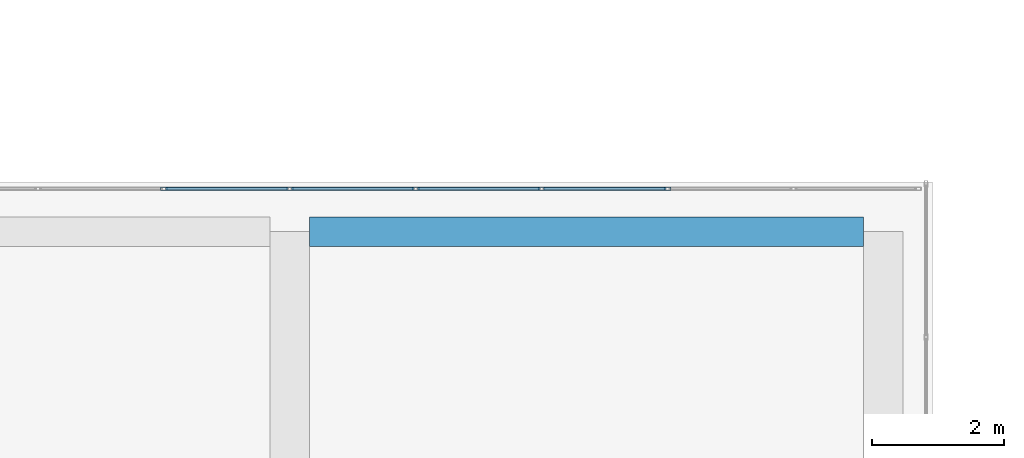
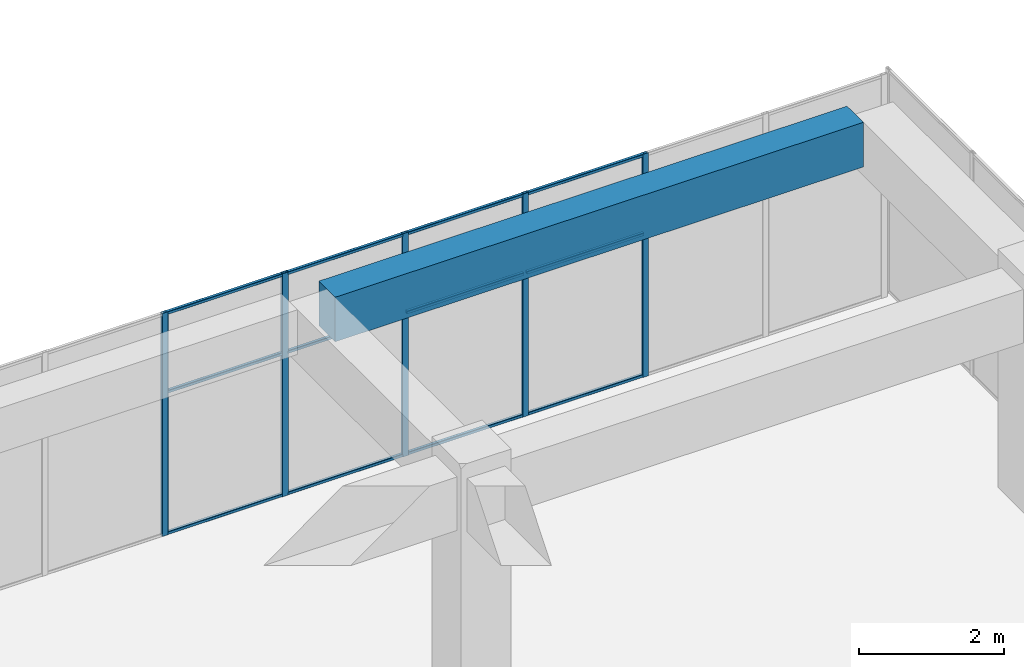
# One storey, part 33 of 65: 17 members, 1 beam, 1 element without a shape of its own.
"""IFC4 building model written with IfcOpenShell, lengths in metres."""

from ifc_helpers import new_model, si_unit, direction, frame, origin, origin_2d, place, context, subcontext, project, spatial, rectangle, hollow_rectangle, extrude, material, layer, layer_set, material_profile, profile_set, type_object, element, aggregate, save


model = new_model("IFC4")

# Units and contexts
model_context = context("Model", 3, precision=1e-05, world=origin(), true_north=direction((0.0, 1.0)))
body_context = subcontext(model_context, "Body", "Model", "MODEL_VIEW")
ifc_project = project(units=[si_unit("LENGTHUNIT", "METRE"), si_unit("AREAUNIT", "SQUARE_METRE"), si_unit("VOLUMEUNIT", "CUBIC_METRE"), si_unit("PLANEANGLEUNIT", "RADIAN"), si_unit("MASSUNIT", "GRAM", prefix="KILO")], contexts=[model_context])

# Site, building, storey
site_placement = place(None, origin())
site = spatial("IfcSite", under=ifc_project, at=site_placement, CompositionType="ELEMENT")
building_placement = place(site_placement, origin())
building = spatial("IfcBuilding", under=site, at=building_placement, Name="Tuart Plaza Theatre", CompositionType="ELEMENT")
storey_placement = place(building_placement, frame((0.0, 0.0, 9.5)))
storey = spatial("IfcBuildingStorey", under=building, at=storey_placement, Name="L02", CompositionType="ELEMENT", Elevation=9.5)

# Beam
ifc_material_1 = material(Name="Concrete N40 (40 MPa)", Category="concrete")
ifc_material_profile_1 = material_profile(ifc_material_1, rectangle(XDim=0.449951171875, YDim=0.75, at=origin_2d()), Name="BEAM 450x750 Concrete N40 (40 MPa)")
ifc_profile_set_1 = profile_set([ifc_material_profile_1], Name="Concrete N40 (40 MPa)")
beam_type = type_object("IfcBeamType", Name="BEAM 450x750 Concrete N40 (40 MPa)", PredefinedType="BEAM", material=ifc_profile_set_1)
beam_placement = place(storey_placement, frame((123.300048828125, 96.5, 3.375), z_axis=(1.0, 0.0, 0.0), x_axis=(0.0, 1.0, 0.0)))
element("IfcBeam", 1, at=beam_placement, inside=storey, type_object=beam_type, Name="RB180", PredefinedType="BEAM", context=body_context, shape_type="SweptSolid", body=[
    extrude(rectangle(XDim=0.449951171875, YDim=0.75, at=origin_2d()), origin(), (0.0, 0.0, 1.0), 8.39990234375),
])

# Curtain wall, members
ifc_material_2 = material(Name="Aluminium and glass", Category="aluminium")
ifc_layer = layer(ifc_material_2, 0.10009765625)
ifc_layer_set = layer_set([ifc_layer], Name="CURTAIN WALL 2000 module")
curtain_wall_type = type_object("IfcCurtainWallType", Name="CURTAIN WALL 2000 module", PredefinedType="NOTDEFINED", material=ifc_layer_set)
curtain_wall_placement = place(storey_placement, origin())
curtain_wall = element("IfcCurtainWall", 2, at=curtain_wall_placement, inside=storey, type_object=curtain_wall_type, Name="CW72", PredefinedType="NOTDEFINED")
ifc_material_3 = material(Name="Aluminium 6063-T5", Category="aluminium")
ifc_material_profile_2 = material_profile(ifc_material_3, hollow_rectangle(XDim=0.050048828125, YDim=0.10009765625, WallThickness=0.00390625, InnerFilletRadius=0.00390625, OuterFilletRadius=0.008056640625, at=origin_2d()), Name="RHS 100x50x4")
ifc_profile_set_2 = profile_set([ifc_material_profile_2], Name="Aluminium 6063-T5")
member_type_1 = type_object("IfcMemberType", Name="MULLION RHS 100x50x4", PredefinedType="MULLION", material=ifc_profile_set_2)
member_1_placement = place(storey_placement, frame((128.72998046875, 97.14990234375, 0.0), z_axis=(0.0, 0.0, 1.0), x_axis=(0.0, -1.0, 0.0)))
member_1 = element("IfcMember", 3, at=member_1_placement, type_object=member_type_1, Name="CW72 mullion 3", PredefinedType="MULLION", context=body_context, shape_type="SweptSolid", body=[
    extrude(hollow_rectangle(XDim=0.050048828125, YDim=0.10009765625, WallThickness=0.00390625, InnerFilletRadius=0.00390625, OuterFilletRadius=0.008056640625, at=origin_2d()), origin(), (0.0, 0.0, 1.0), 3.75),
])
member_2_placement = place(storey_placement, frame((126.820068359375, 97.14990234375, 0.0), z_axis=(0.0, 0.0, 1.0), x_axis=(0.0, -1.0, 0.0)))
member_2 = element("IfcMember", 4, at=member_2_placement, type_object=member_type_1, Name="CW72 mullion 4", PredefinedType="MULLION", context=body_context, shape_type="SweptSolid", body=[
    extrude(hollow_rectangle(XDim=0.050048828125, YDim=0.10009765625, WallThickness=0.00390625, InnerFilletRadius=0.00390625, OuterFilletRadius=0.008056640625, at=origin_2d()), origin(), (0.0, 0.0, 1.0), 3.75),
])
member_3_placement = place(storey_placement, frame((124.909912109375, 97.14990234375, 0.0), z_axis=(0.0, 0.0, 1.0), x_axis=(0.0, -1.0, 0.0)))
member_3 = element("IfcMember", 5, at=member_3_placement, type_object=member_type_1, Name="CW72 mullion 5", PredefinedType="MULLION", context=body_context, shape_type="SweptSolid", body=[
    extrude(hollow_rectangle(XDim=0.050048828125, YDim=0.10009765625, WallThickness=0.00390625, InnerFilletRadius=0.00390625, OuterFilletRadius=0.008056640625, at=origin_2d()), origin(), (0.0, 0.0, 1.0), 3.75),
])
member_4_placement = place(storey_placement, frame((123.0, 97.14990234375, 0.0), z_axis=(0.0, 0.0, 1.0), x_axis=(0.0, -1.0, 0.0)))
member_4 = element("IfcMember", 6, at=member_4_placement, type_object=member_type_1, Name="CW72 mullion 6", PredefinedType="MULLION", context=body_context, shape_type="SweptSolid", body=[
    extrude(hollow_rectangle(XDim=0.050048828125, YDim=0.10009765625, WallThickness=0.00390625, InnerFilletRadius=0.00390625, OuterFilletRadius=0.008056640625, at=origin_2d()), origin(), (0.0, 0.0, 1.0), 3.75),
])
member_5_placement = place(storey_placement, frame((121.090087890625, 97.14990234375, 0.0), z_axis=(0.0, 0.0, 1.0), x_axis=(0.0, -1.0, 0.0)))
member_5 = element("IfcMember", 7, at=member_5_placement, type_object=member_type_1, Name="CW72 mullion 7", PredefinedType="MULLION", context=body_context, shape_type="SweptSolid", body=[
    extrude(hollow_rectangle(XDim=0.050048828125, YDim=0.10009765625, WallThickness=0.00390625, InnerFilletRadius=0.00390625, OuterFilletRadius=0.008056640625, at=origin_2d()), origin(), (0.0, 0.0, 1.0), 3.75),
])
ifc_material_4 = material(Name="Aluminium 6063-T5", Category="aluminium")
ifc_material_profile_3 = material_profile(ifc_material_4, hollow_rectangle(XDim=0.050048828125, YDim=0.050048828125, WallThickness=0.00390625, InnerFilletRadius=0.00390625, OuterFilletRadius=0.008056640625, at=origin_2d()), Name="RHS 50x50x4")
ifc_profile_set_3 = profile_set([ifc_material_profile_3], Name="Aluminium 6063-T5")
member_type_2 = type_object("IfcMemberType", Name="TRANSOM RHS 50x50x4", PredefinedType="USERDEFINED", material=ifc_profile_set_3)
member_6_placement = place(storey_placement, frame((128.705078125, 97.14990234375, 0.02490234375), z_axis=(-1.0, 0.0, 0.0), x_axis=(0.0, -1.0, 0.0)))
member_6 = element("IfcMember", 8, at=member_6_placement, type_object=member_type_2, Name="CW72 transom 3.1", ObjectType="TRANSOM", PredefinedType="USERDEFINED", context=body_context, shape_type="SweptSolid", body=[
    extrude(hollow_rectangle(XDim=0.050048828125, YDim=0.050048828125, WallThickness=0.00390625, InnerFilletRadius=0.00390625, OuterFilletRadius=0.008056640625, at=origin_2d()), origin(), (0.0, 0.0, 1.0), 1.860107421875),
])
member_7_placement = place(storey_placement, frame((128.705078125, 97.14990234375, 2.39990234375), z_axis=(-1.0, 0.0, 0.0), x_axis=(0.0, -1.0, 0.0)))
member_7 = element("IfcMember", 9, at=member_7_placement, type_object=member_type_2, Name="CW72 transom 3.2", ObjectType="TRANSOM", PredefinedType="USERDEFINED", context=body_context, shape_type="SweptSolid", body=[
    extrude(hollow_rectangle(XDim=0.050048828125, YDim=0.050048828125, WallThickness=0.00390625, InnerFilletRadius=0.00390625, OuterFilletRadius=0.008056640625, at=origin_2d()), origin(), (0.0, 0.0, 1.0), 1.860107421875),
])
member_8_placement = place(storey_placement, frame((128.705078125, 97.14990234375, 3.72509765625), z_axis=(-1.0, 0.0, 0.0), x_axis=(0.0, -1.0, 0.0)))
member_8 = element("IfcMember", 10, at=member_8_placement, type_object=member_type_2, Name="CW72 transom 3.3", ObjectType="TRANSOM", PredefinedType="USERDEFINED", context=body_context, shape_type="SweptSolid", body=[
    extrude(hollow_rectangle(XDim=0.050048828125, YDim=0.050048828125, WallThickness=0.00390625, InnerFilletRadius=0.00390625, OuterFilletRadius=0.008056640625, at=origin_2d()), origin(), (0.0, 0.0, 1.0), 1.860107421875),
])
member_9_placement = place(storey_placement, frame((126.794921875, 97.14990234375, 0.02490234375), z_axis=(-1.0, 0.0, 0.0), x_axis=(0.0, -1.0, 0.0)))
member_9 = element("IfcMember", 11, at=member_9_placement, type_object=member_type_2, Name="CW72 transom 4.1", ObjectType="TRANSOM", PredefinedType="USERDEFINED", context=body_context, shape_type="SweptSolid", body=[
    extrude(hollow_rectangle(XDim=0.050048828125, YDim=0.050048828125, WallThickness=0.00390625, InnerFilletRadius=0.00390625, OuterFilletRadius=0.008056640625, at=origin_2d()), origin(), (0.0, 0.0, 1.0), 1.85986328125),
])
member_10_placement = place(storey_placement, frame((126.794921875, 97.14990234375, 2.39990234375), z_axis=(-1.0, 0.0, 0.0), x_axis=(0.0, -1.0, 0.0)))
member_10 = element("IfcMember", 12, at=member_10_placement, type_object=member_type_2, Name="CW72 transom 4.2", ObjectType="TRANSOM", PredefinedType="USERDEFINED", context=body_context, shape_type="SweptSolid", body=[
    extrude(hollow_rectangle(XDim=0.050048828125, YDim=0.050048828125, WallThickness=0.00390625, InnerFilletRadius=0.00390625, OuterFilletRadius=0.008056640625, at=origin_2d()), origin(), (0.0, 0.0, 1.0), 1.85986328125),
])
member_11_placement = place(storey_placement, frame((126.794921875, 97.14990234375, 3.72509765625), z_axis=(-1.0, 0.0, 0.0), x_axis=(0.0, -1.0, 0.0)))
member_11 = element("IfcMember", 13, at=member_11_placement, type_object=member_type_2, Name="CW72 transom 4.3", ObjectType="TRANSOM", PredefinedType="USERDEFINED", context=body_context, shape_type="SweptSolid", body=[
    extrude(hollow_rectangle(XDim=0.050048828125, YDim=0.050048828125, WallThickness=0.00390625, InnerFilletRadius=0.00390625, OuterFilletRadius=0.008056640625, at=origin_2d()), origin(), (0.0, 0.0, 1.0), 1.85986328125),
])
member_12_placement = place(storey_placement, frame((124.885009765625, 97.14990234375, 0.02490234375), z_axis=(-1.0, 0.0, 0.0), x_axis=(0.0, -1.0, 0.0)))
member_12 = element("IfcMember", 14, at=member_12_placement, type_object=member_type_2, Name="CW72 transom 5.1", ObjectType="TRANSOM", PredefinedType="USERDEFINED", context=body_context, shape_type="SweptSolid", body=[
    extrude(hollow_rectangle(XDim=0.050048828125, YDim=0.050048828125, WallThickness=0.00390625, InnerFilletRadius=0.00390625, OuterFilletRadius=0.008056640625, at=origin_2d()), origin(), (0.0, 0.0, 1.0), 1.860107421875),
])
member_13_placement = place(storey_placement, frame((124.885009765625, 97.14990234375, 2.39990234375), z_axis=(-1.0, 0.0, 0.0), x_axis=(0.0, -1.0, 0.0)))
member_13 = element("IfcMember", 15, at=member_13_placement, type_object=member_type_2, Name="CW72 transom 5.2", ObjectType="TRANSOM", PredefinedType="USERDEFINED", context=body_context, shape_type="SweptSolid", body=[
    extrude(hollow_rectangle(XDim=0.050048828125, YDim=0.050048828125, WallThickness=0.00390625, InnerFilletRadius=0.00390625, OuterFilletRadius=0.008056640625, at=origin_2d()), origin(), (0.0, 0.0, 1.0), 1.860107421875),
])
member_14_placement = place(storey_placement, frame((124.885009765625, 97.14990234375, 3.72509765625), z_axis=(-1.0, 0.0, 0.0), x_axis=(0.0, -1.0, 0.0)))
member_14 = element("IfcMember", 16, at=member_14_placement, type_object=member_type_2, Name="CW72 transom 5.3", ObjectType="TRANSOM", PredefinedType="USERDEFINED", context=body_context, shape_type="SweptSolid", body=[
    extrude(hollow_rectangle(XDim=0.050048828125, YDim=0.050048828125, WallThickness=0.00390625, InnerFilletRadius=0.00390625, OuterFilletRadius=0.008056640625, at=origin_2d()), origin(), (0.0, 0.0, 1.0), 1.860107421875),
])
member_15_placement = place(storey_placement, frame((122.97509765625, 97.14990234375, 0.02490234375), z_axis=(-1.0, 0.0, 0.0), x_axis=(0.0, -1.0, 0.0)))
member_15 = element("IfcMember", 17, at=member_15_placement, type_object=member_type_2, Name="CW72 transom 6.1", ObjectType="TRANSOM", PredefinedType="USERDEFINED", context=body_context, shape_type="SweptSolid", body=[
    extrude(hollow_rectangle(XDim=0.050048828125, YDim=0.050048828125, WallThickness=0.00390625, InnerFilletRadius=0.00390625, OuterFilletRadius=0.008056640625, at=origin_2d()), origin(), (0.0, 0.0, 1.0), 1.860107421875),
])
member_16_placement = place(storey_placement, frame((122.97509765625, 97.14990234375, 2.39990234375), z_axis=(-1.0, 0.0, 0.0), x_axis=(0.0, -1.0, 0.0)))
member_16 = element("IfcMember", 18, at=member_16_placement, type_object=member_type_2, Name="CW72 transom 6.2", ObjectType="TRANSOM", PredefinedType="USERDEFINED", context=body_context, shape_type="SweptSolid", body=[
    extrude(hollow_rectangle(XDim=0.050048828125, YDim=0.050048828125, WallThickness=0.00390625, InnerFilletRadius=0.00390625, OuterFilletRadius=0.008056640625, at=origin_2d()), origin(), (0.0, 0.0, 1.0), 1.860107421875),
])
member_17_placement = place(storey_placement, frame((122.97509765625, 97.14990234375, 3.72509765625), z_axis=(-1.0, 0.0, 0.0), x_axis=(0.0, -1.0, 0.0)))
member_17 = element("IfcMember", 19, at=member_17_placement, type_object=member_type_2, Name="CW72 transom 6.3", ObjectType="TRANSOM", PredefinedType="USERDEFINED", context=body_context, shape_type="SweptSolid", body=[
    extrude(hollow_rectangle(XDim=0.050048828125, YDim=0.050048828125, WallThickness=0.00390625, InnerFilletRadius=0.00390625, OuterFilletRadius=0.008056640625, at=origin_2d()), origin(), (0.0, 0.0, 1.0), 1.860107421875),
])
aggregate(curtain_wall, [member_1, member_2, member_3, member_4, member_5, member_6, member_7, member_8, member_9, member_10, member_11, member_12, member_13, member_14, member_15, member_16, member_17])

save(model, "model.ifc")
